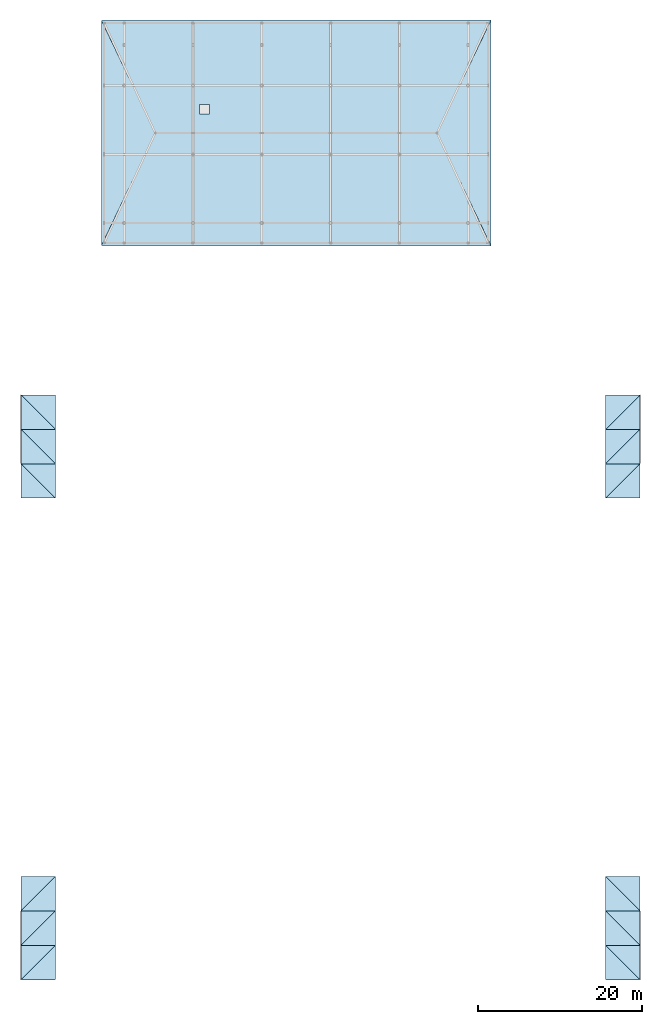
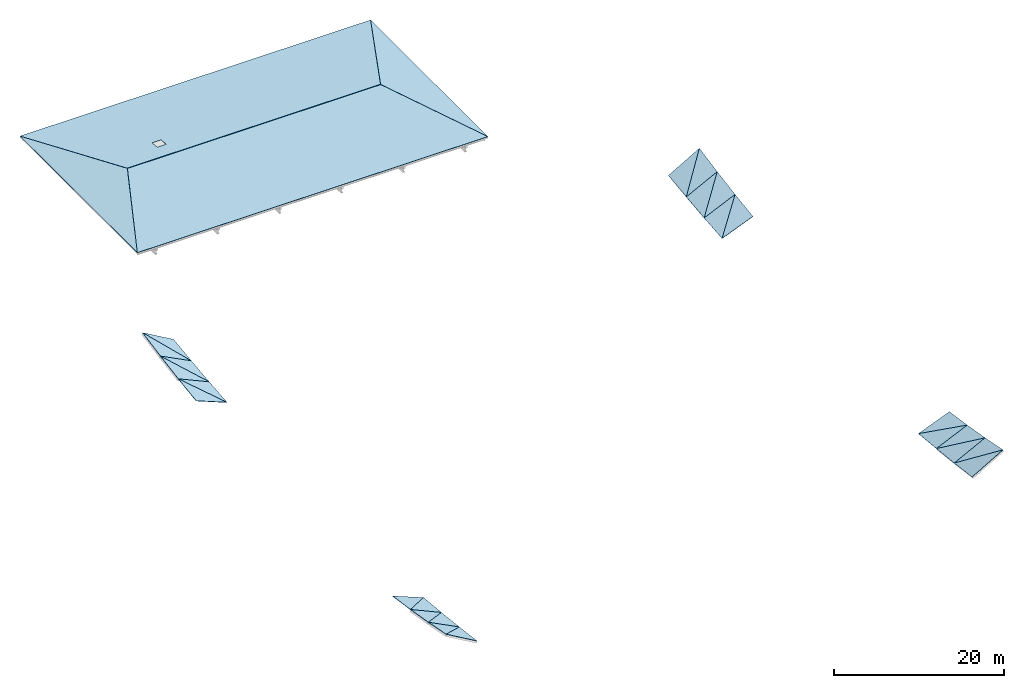
# One storey, part 13 of 13: 28 roofs.
"""IFC4 building model written with IfcOpenShell, lengths in metres."""

import ifcopenshell
import ifcopenshell.guid

model = None  # the IFC model being written
_history = None  # IfcOwnerHistory: only IFC2X3 demands one
_inside = {}  # id of a spatial element -> (the spatial element, [elements in it])
_under = {}  # id of a project, library or spatial element -> (it, [spatial elements below it])
_declared = {}  # id of a project -> (the project, [libraries it declares])
_typed = {}  # id of a type object -> (the type object, [elements of that type])
_made_of = {}  # id of a material, layer set ... -> (it, [elements and type objects made of it])


def new_model(schema):
    """Start an empty IFC model of exactly this schema.

    Asked for "IFC4X3", IfcOpenShell would pick the latest addendum, in which some entities
    have other attributes; the version numbers below select the first issue.
    IFC2X3 requires an IfcOwnerHistory on every rooted entity: one is made here for all.
    """
    global model, _history
    if schema == "IFC4X3":
        model = ifcopenshell.file(schema_version=(4, 3, 0, 0))
    else:
        model = ifcopenshell.file(schema=schema)
    _inside.clear()
    _under.clear()
    _declared.clear()
    _typed.clear()
    _made_of.clear()
    _history = None
    if model.schema == "IFC2X3":
        org = make("IfcOrganization", Name="unknown")
        user = make(
            "IfcPersonAndOrganization",
            ThePerson=make("IfcPerson", FamilyName="unknown"),
            TheOrganization=org,
        )
        app = make(
            "IfcApplication",
            ApplicationDeveloper=org,
            Version="unknown",
            ApplicationFullName="unknown",
            ApplicationIdentifier="unknown",
        )
        _history = make(
            "IfcOwnerHistory",
            OwningUser=user,
            OwningApplication=app,
            ChangeAction="ADDED",
            CreationDate=0,
        )
    return model


def make(cls, **values):
    """One entity of the class cls with the attributes given. An attribute that is None is left unset."""
    return model.create_entity(
        cls, **{name: value for name, value in values.items() if value is not None}
    )


def rooted(cls, **values):
    """An entity with a GlobalId (a new one), such as an element, a storey or a relation."""
    return make(cls, GlobalId=ifcopenshell.guid.new(), OwnerHistory=_history, **values)


def si_unit(unit_type, name, prefix=None):
    """IfcSIUnit, for example si_unit("LENGTHUNIT", "METRE", prefix="MILLI")."""
    return make("IfcSIUnit", UnitType=unit_type, Prefix=prefix, Name=name)


def assignment(units):
    """IfcUnitAssignment: the units of a project."""
    return None if units is None else make("IfcUnitAssignment", Units=units)


def point(xyz):
    """IfcCartesianPoint."""
    return None if xyz is None else make("IfcCartesianPoint", Coordinates=xyz)


def direction(xyz):
    """IfcDirection."""
    return None if xyz is None else make("IfcDirection", DirectionRatios=xyz)


def frame(location, z_axis=None, x_axis=None):
    """IfcAxis2Placement3D, a coordinate frame: its origin and axes. An axis left out is left unset."""
    return make(
        "IfcAxis2Placement3D",
        Location=point(location),
        Axis=direction(z_axis),
        RefDirection=direction(x_axis),
    )


def origin():
    """The frame at (0, 0, 0) with its axes left unset."""
    return frame((0.0, 0.0, 0.0))


def place(relative_to, where):
    """IfcLocalPlacement: puts the frame where relative to a parent placement (None: the world)."""
    return make(
        "IfcLocalPlacement", PlacementRelTo=relative_to, RelativePlacement=where
    )


def context(
    kind, dimensions, precision=None, world=None, true_north=None, identifier=None
):
    """IfcGeometricRepresentationContext, for example the 3D "Model" context."""
    return make(
        "IfcGeometricRepresentationContext",
        ContextIdentifier=identifier,
        ContextType=kind,
        CoordinateSpaceDimension=dimensions,
        Precision=precision,
        WorldCoordinateSystem=world,
        TrueNorth=true_north,
    )


def subcontext(parent, identifier, kind, view, scale=None):
    """IfcGeometricRepresentationSubContext, for example "Body" below "Model"."""
    return make(
        "IfcGeometricRepresentationSubContext",
        ContextIdentifier=identifier,
        ContextType=kind,
        ParentContext=parent,
        TargetScale=scale,
        TargetView=view,
    )


def project(units=None, contexts=None):
    """IfcProject with its units and contexts."""
    return rooted(
        "IfcProject",
        Name="project",
        RepresentationContexts=contexts,
        UnitsInContext=assignment(units),
    )


def spatial(cls, under=None, at=None, **own):
    """A site, building, storey or space (cls), placed at a placement, below another one or the project."""
    s = rooted(cls, ObjectPlacement=at, **own)
    if under is not None:
        _under.setdefault(under.id(), (under, []))[1].append(s)
    return s


def polyline(points):
    """IfcPolyline through the points."""
    return make("IfcPolyline", Points=[point(p) for p in points])


def outline(outer, holes=None, kind="AREA"):
    """IfcArbitraryClosedProfileDef: a profile drawn as a closed curve; with holes, ...WithVoids."""
    if holes is None:
        return make("IfcArbitraryClosedProfileDef", ProfileType=kind, OuterCurve=outer)
    return make(
        "IfcArbitraryProfileDefWithVoids",
        ProfileType=kind,
        OuterCurve=outer,
        InnerCurves=holes,
    )


def extrude(swept, where, along, depth):
    """IfcExtrudedAreaSolid: the profile swept, set in the frame where, extruded along a direction by depth."""
    return make(
        "IfcExtrudedAreaSolid",
        SweptArea=swept,
        Position=where,
        ExtrudedDirection=direction(along),
        Depth=depth,
    )


def shape(context_of_items, identifier, shape_type, items):
    """IfcShapeRepresentation: the items that make up one representation, for example the "Body"."""
    return make(
        "IfcShapeRepresentation",
        ContextOfItems=context_of_items,
        RepresentationIdentifier=identifier,
        RepresentationType=shape_type,
        Items=items,
    )


def material(Name=None, Category=None):
    """IfcMaterial."""
    return make("IfcMaterial", Name=Name, Category=Category)


def layer(
    of_material, thickness, ventilated=None, Name=None, Category=None, Priority=None
):
    """IfcMaterialLayer: one layer of a wall or slab, of a material (None: an air gap)."""
    return make(
        "IfcMaterialLayer",
        Material=of_material,
        LayerThickness=thickness,
        IsVentilated=ventilated,
        Name=Name,
        Category=Category,
        Priority=Priority,
    )


def layer_set(layers, Name=None):
    """IfcMaterialLayerSet."""
    return make("IfcMaterialLayerSet", MaterialLayers=layers, LayerSetName=Name)


def made_of(thing, what):
    """Note that an element or type object is made of a material, layer set ...; save() writes the relation."""
    if what is not None:
        _made_of.setdefault(what.id(), (what, []))[1].append(thing)
    return thing


def type_object(cls, material=None, **own):
    """A type object (cls), such as IfcWallType, which elements share."""
    return made_of(rooted(cls, **own), material)


def element(
    cls,
    number,
    at=None,
    inside=None,
    cuts=None,
    type_object=None,
    material=None,
    context=None,
    identifier="Body",
    shape_type=None,
    held_by="IfcProductDefinitionShape",
    body=None,
    shapes=None,
    **own,
):
    """One element of the class cls, such as IfcWall. Its Tag is "e" and its number.

    at: its placement. inside: the storey or other place that contains it. cuts: it is an
    opening in that element (IfcRelVoidsElement). A single representation is given by context,
    identifier, shape_type and body (its items); several are given by shapes. held_by: the class
    of the entity that holds the representations. save() writes the other relations.
    """
    e = rooted(cls, Tag="e%d" % number, ObjectPlacement=at, **own)
    if body is not None:
        shapes = [shape(context, identifier, shape_type, body)]
    if shapes is not None:
        e.Representation = make(held_by, Representations=shapes)
    if inside is not None:
        _inside.setdefault(inside.id(), (inside, []))[1].append(e)
    if cuts is not None:
        rooted(
            "IfcRelVoidsElement", RelatingBuildingElement=cuts, RelatedOpeningElement=e
        )
    if type_object is not None:
        _typed.setdefault(type_object.id(), (type_object, []))[1].append(e)
    return made_of(e, material)


def aggregate(whole, parts):
    """IfcRelAggregates: a whole, such as a stair, and the parts it consists of."""
    return rooted("IfcRelAggregates", RelatingObject=whole, RelatedObjects=parts)


def save(model, path):
    """Write the relations noted so far, then the file.

    IfcRelAggregates (storeys below a building ...), IfcRelContainedInSpatialStructure (elements
    in a storey), IfcRelDefinesByType, IfcRelAssociatesMaterial and IfcRelDeclares: one each for
    every whole, place, type object, material and project.
    """
    for whole, parts in _under.values():
        aggregate(whole, parts)
    for where, things in _inside.values():
        rooted(
            "IfcRelContainedInSpatialStructure",
            RelatedElements=things,
            RelatingStructure=where,
        )
    for kind, things in _typed.values():
        rooted("IfcRelDefinesByType", RelatedObjects=things, RelatingType=kind)
    for what, things in _made_of.values():
        rooted("IfcRelAssociatesMaterial", RelatedObjects=things, RelatingMaterial=what)
    for by, libraries in _declared.values():
        rooted("IfcRelDeclares", RelatingContext=by, RelatedDefinitions=libraries)
    model.write(path)


model = new_model("IFC4")

# Units and contexts
model_context = context("Model", 3, precision=1e-05, world=origin(), true_north=direction((0.0, 1.0)))
body_context = subcontext(model_context, "Body", "Model", "MODEL_VIEW")
ifc_project = project(units=[si_unit("LENGTHUNIT", "METRE"), si_unit("AREAUNIT", "SQUARE_METRE"), si_unit("VOLUMEUNIT", "CUBIC_METRE"), si_unit("PLANEANGLEUNIT", "RADIAN"), si_unit("MASSUNIT", "GRAM", prefix="KILO")], contexts=[model_context])

# Site, building, storey
site_placement = place(None, origin())
site = spatial("IfcSite", under=ifc_project, at=site_placement, CompositionType="ELEMENT")
building_placement = place(site_placement, origin())
building = spatial("IfcBuilding", under=site, at=building_placement, Name="Cumbredor Promenade Congress Hotel", CompositionType="ELEMENT")
storey_placement = place(building_placement, frame((0.0, 0.0, 38.639892578125)))
storey = spatial("IfcBuildingStorey", under=building, at=storey_placement, Name="RF", CompositionType="ELEMENT", Elevation=38.639892578125)

# Roofs
ifc_material = material(Name="Standing-seam zinc-aluminium roofing", Category="aluminium")
ifc_layer_1 = layer(ifc_material, 0.050048828125, Name="Standing-seam zinc-aluminium roofing", Category="aluminium")
ifc_layer_set_1 = layer_set([ifc_layer_1], Name="Standing-seam zinc-aluminium roofing")
roof_type_1 = type_object("IfcRoofType", Name="Sweeping Pavilion Standing-Seam Roof Skin 50mm", PredefinedType="FREEFORM", material=ifc_layer_set_1)
roof_1_placement = place(storey_placement, frame((-4.199951171875, 0.0, 3.610107421875), z_axis=(0.498474139953, 0.109722296149, 0.859932875012), x_axis=(0.865156445792, 0.0, -0.501502068095)))
element("IfcRoof", 1, at=roof_1_placement, inside=storey, type_object=roof_type_1, Name="Plenary Congress Hall Standing-Seam Roof Skin 1.1.1", PredefinedType="FREEFORM", context=body_context, shape_type="SweptSolid", body=[
    extrude(outline(polyline([(0.0, 0.0), (4.854556875003168, -2.7755575615628914e-17), (5.123306152217286, 4.225463328532745), (0.0, 0.0)])), origin(), (0.0, 0.0, -1.0), 0.050048828125),
])
roof_2_placement = place(storey_placement, frame((-4.199951171875, 0.0, 3.610107421875), z_axis=(0.449143673494, 0.171073223044, 0.876928681774), x_axis=(0.632428057547, 0.632428057547, -0.447291296645)))
element("IfcRoof", 2, at=roof_2_placement, inside=storey, type_object=roof_type_1, Name="Plenary Congress Hall Standing-Seam Roof Skin 1.1.2", PredefinedType="FREEFORM", context=body_context, shape_type="SweptSolid", body=[
    extrude(outline(polyline([(0.0, 0.0), (6.6409943735951575, 1.1102230246251565e-16), (3.022648795294112, 3.0289429649500246), (0.0, 0.0)])), origin(), (0.0, 0.0, -1.0), 0.050048828125),
])
roof_3_placement = place(storey_placement, frame((-4.199951171875, 4.199951171875, 2.790771484375), z_axis=(0.453631186803, 0.098850513978, 0.885690308316), x_axis=(0.890049508975, 0.0, -0.455863873951)))
element("IfcRoof", 3, at=roof_3_placement, inside=storey, type_object=roof_type_1, Name="Plenary Congress Hall Standing-Seam Roof Skin 1.2.1", PredefinedType="FREEFORM", context=body_context, shape_type="SweptSolid", body=[
    extrude(outline(polyline([(0.0, 0.0), (4.718783763739442, 0.0), (4.932469954653939, 4.220622539442095), (0.0, 0.0)])), origin(), (0.0, 0.0, -1.0), 0.050048828125),
])
roof_4_placement = place(storey_placement, frame((-4.199951171875, 4.199951171875, 2.790771484375), z_axis=(0.40778034037, 0.153663184458, 0.900057120271), x_axis=(0.64696674513, 0.64696674513, -0.403569153171)))
element("IfcRoof", 4, at=roof_4_placement, inside=storey, type_object=roof_type_1, Name="Plenary Congress Hall Standing-Seam Roof Skin 1.2.2", PredefinedType="FREEFORM", context=body_context, shape_type="SweptSolid", body=[
    extrude(outline(polyline([(0.0, 0.0), (6.491757425690709, -5.551115123125783e-17), (3.006604374838807, 3.0189514400571045), (0.0, 0.0)])), origin(), (0.0, 0.0, -1.0), 0.050048828125),
])
roof_5_placement = place(storey_placement, frame((-4.199951171875, 8.39990234375, 2.07373046875), z_axis=(0.411121504276, 0.086871665309, 0.907431772911), x_axis=(0.910875327217, 0.0, -0.412681642756)))
element("IfcRoof", 5, at=roof_5_placement, inside=storey, type_object=roof_type_1, Name="Plenary Congress Hall Standing-Seam Roof Skin 1.3.1", PredefinedType="FREEFORM", context=body_context, shape_type="SweptSolid", body=[
    extrude(outline(polyline([(0.0, 0.0), (4.610895746520972, 0.0), (4.776834873869312, 4.216134362780837), (0.0, 0.0)])), origin(), (0.0, 0.0, -1.0), 0.050048828125),
])
roof_6_placement = place(storey_placement, frame((-4.199951171875, 8.39990234375, 2.07373046875), z_axis=(0.369987348692, 0.134489316339, 0.919250774054), x_axis=(0.659194593281, 0.659232911865, -0.361765747554)))
element("IfcRoof", 6, at=roof_6_placement, inside=storey, type_object=roof_type_1, Name="Plenary Congress Hall Standing-Seam Roof Skin 1.3.2", PredefinedType="FREEFORM", context=body_context, shape_type="SweptSolid", body=[
    extrude(outline(polyline([(0.0, 0.0), (6.371337408836187, 2.7755575615628914e-16), (2.9912127447056456, 3.0119594335667825), (0.0, 0.0)])), origin(), (0.0, 0.0, -1.0), 0.050048828125),
])
roof_7_placement = place(storey_placement, frame((-4.199951171875, 58.800048828125, 1.459228515625), z_axis=(0.369986959674, -0.134496992706, 0.919249807519), x_axis=(0.927678694472, 0.0, -0.373379485004)))
element("IfcRoof", 7, at=roof_7_placement, inside=storey, type_object=roof_type_1, Name="Plenary Congress Hall Standing-Seam Roof Skin 1.15.1", PredefinedType="FREEFORM", context=body_context, shape_type="SweptSolid", body=[
    extrude(outline(polyline([(0.0, 0.0), (4.527376986127346, 0.0), (-0.22944242279187457, 4.238461828441071), (0.0, 0.0)])), origin(), (0.0, 0.0, -1.0), 0.050048828125),
])
roof_8_placement = place(storey_placement, frame((0.0, 58.800048828125, -0.231201171875), z_axis=(0.411121323919, -0.086876676994, 0.907431374823), x_axis=(0.0, 0.995448277851, 0.095303337419)))
element("IfcRoof", 8, at=roof_8_placement, inside=storey, type_object=roof_type_1, Name="Plenary Congress Hall Standing-Seam Roof Skin 1.15.2", PredefinedType="FREEFORM", context=body_context, shape_type="SweptSolid", body=[
    extrude(outline(polyline([(0.0, 0.0), (4.219155595850159, 2.7755575615628914e-17), (4.400501838976253, 4.60732819814144), (0.0, 0.0)])), origin(), (0.0, 0.0, -1.0), 0.050048828125),
])
roof_9_placement = place(storey_placement, frame((-4.199951171875, 63.0, 2.07373046875), z_axis=(0.40778034037, -0.153663184458, 0.900057120271), x_axis=(0.910875327217, 0.0, -0.412681642756)))
element("IfcRoof", 9, at=roof_9_placement, inside=storey, type_object=roof_type_1, Name="Plenary Congress Hall Standing-Seam Roof Skin 1.16.1", PredefinedType="FREEFORM", context=body_context, shape_type="SweptSolid", body=[
    extrude(outline(polyline([(0.0, 0.0), (4.610895746520972, 0.0), (-0.29590966425141146, 4.250432346811949), (0.0, 0.0)])), origin(), (0.0, 0.0, -1.0), 0.050048828125),
])
roof_10_placement = place(storey_placement, frame((0.0, 63.0, 0.1708984375), z_axis=(0.453631186803, -0.098850513978, 0.885690308316), x_axis=(0.0, 0.993829366657, 0.110919745625)))
element("IfcRoof", 10, at=roof_10_placement, inside=storey, type_object=roof_type_1, Name="Plenary Congress Hall Standing-Seam Roof Skin 1.16.2", PredefinedType="FREEFORM", context=body_context, shape_type="SweptSolid", body=[
    extrude(outline(polyline([(0.0, 0.0), (4.22602844389791, -2.7755575615628914e-17), (4.464630465064764, 4.712747530308203), (0.0, 0.0)])), origin(), (0.0, 0.0, -1.0), 0.050048828125),
])
roof_11_placement = place(storey_placement, frame((-4.199951171875, 67.199951171875, 2.790771484375), z_axis=(0.449143673494, -0.171073223044, 0.876928681774), x_axis=(0.890049508975, 0.0, -0.455863873951)))
element("IfcRoof", 11, at=roof_11_placement, inside=storey, type_object=roof_type_1, Name="Plenary Congress Hall Standing-Seam Roof Skin 1.17.1", PredefinedType="FREEFORM", context=body_context, shape_type="SweptSolid", body=[
    extrude(outline(polyline([(0.0, 0.0), (4.718783763739442, 0.0), (-0.373505654535965, 4.26279189623923), (0.0, 0.0)])), origin(), (0.0, 0.0, -1.0), 0.050048828125),
])
roof_12_placement = place(storey_placement, frame((0.0, 67.199951171875, 0.6396484375), z_axis=(0.498474139953, -0.109722296149, 0.859932875012), x_axis=(0.0, 0.991957945242, 0.126567906168)))
element("IfcRoof", 12, at=roof_12_placement, inside=storey, type_object=roof_type_1, Name="Plenary Congress Hall Standing-Seam Roof Skin 1.17.2", PredefinedType="FREEFORM", context=body_context, shape_type="SweptSolid", body=[
    extrude(outline(polyline([(0.0, 0.0), (4.234001241707204, 0.0), (4.542139708578761, 4.844767604114214), (0.0, 0.0)])), origin(), (0.0, 0.0, -1.0), 0.050048828125),
])
roof_13_placement = place(storey_placement, frame((67.199951171875, 0.0, 1.175537109375), z_axis=(-0.498474139953, 0.109722296149, 0.859932875012), x_axis=(0.865156445792, 0.0, 0.501502068095)))
element("IfcRoof", 13, at=roof_13_placement, inside=storey, type_object=roof_type_1, Name="Plenary Congress Hall Standing-Seam Roof Skin 18.1.1", PredefinedType="FREEFORM", context=body_context, shape_type="SweptSolid", body=[
    extrude(outline(polyline([(0.0, 0.0), (4.854556875003168, 2.7755575615628914e-17), (-0.2687492772141179, 4.225463328532745), (0.0, 0.0)])), origin(), (0.0, 0.0, -1.0), 0.050048828125),
])
roof_14_placement = place(storey_placement, frame((71.39990234375, 0.0, 3.610107421875), z_axis=(-0.449143673494, 0.171073223044, 0.876928681774), x_axis=(0.0, 0.98149791513, -0.191472824692)))
element("IfcRoof", 14, at=roof_14_placement, inside=storey, type_object=roof_type_1, Name="Plenary Congress Hall Standing-Seam Roof Skin 18.1.2", PredefinedType="FREEFORM", context=body_context, shape_type="SweptSolid", body=[
    extrude(outline(polyline([(0.0, 0.0), (4.279123885167755, -5.551115123125783e-17), (4.691005491212935, 4.700773739665909), (0.0, 0.0)])), origin(), (0.0, 0.0, -1.0), 0.050048828125),
])
roof_15_placement = place(storey_placement, frame((67.199951171875, 4.199951171875, 0.6396484375), z_axis=(-0.453631186803, 0.098850513978, 0.885690308316), x_axis=(0.890049508975, 0.0, 0.455863873951)))
element("IfcRoof", 15, at=roof_15_placement, inside=storey, type_object=roof_type_1, Name="Plenary Congress Hall Standing-Seam Roof Skin 18.2.1", PredefinedType="FREEFORM", context=body_context, shape_type="SweptSolid", body=[
    extrude(outline(polyline([(0.0, 0.0), (4.718783763739442, 0.0), (-0.21368619091449725, 4.220622539442095), (0.0, 0.0)])), origin(), (0.0, 0.0, -1.0), 0.050048828125),
])
roof_16_placement = place(storey_placement, frame((71.39990234375, 4.199951171875, 2.790771484375), z_axis=(-0.40778034037, 0.153663184458, 0.900057120271), x_axis=(0.0, 0.985737352899, -0.168291030952)))
element("IfcRoof", 16, at=roof_16_placement, inside=storey, type_object=roof_type_1, Name="Plenary Congress Hall Standing-Seam Roof Skin 18.2.2", PredefinedType="FREEFORM", context=body_context, shape_type="SweptSolid", body=[
    extrude(outline(polyline([(0.0, 0.0), (4.260720322225189, 0.0), (4.580949886492554, 4.599762234230626), (0.0, 0.0)])), origin(), (0.0, 0.0, -1.0), 0.050048828125),
])
roof_17_placement = place(storey_placement, frame((67.199951171875, 8.39990234375, 0.1708984375), z_axis=(-0.411121504276, 0.086871665309, 0.907431772911), x_axis=(0.910875327217, 0.0, 0.412681642756)))
element("IfcRoof", 17, at=roof_17_placement, inside=storey, type_object=roof_type_1, Name="Plenary Congress Hall Standing-Seam Roof Skin 18.3.1", PredefinedType="FREEFORM", context=body_context, shape_type="SweptSolid", body=[
    extrude(outline(polyline([(0.0, 0.0), (4.610895746520972, 0.0), (-0.16593912734834004, 4.216134362780837), (0.0, 0.0)])), origin(), (0.0, 0.0, -1.0), 0.050048828125),
])
roof_18_placement = place(storey_placement, frame((71.39990234375, 8.39990234375, 2.07373046875), z_axis=(-0.369987348692, 0.134489316339, 0.919250774054), x_axis=(0.0, 0.989466489896, -0.144762099225)))
element("IfcRoof", 18, at=roof_18_placement, inside=storey, type_object=roof_type_1, Name="Plenary Congress Hall Standing-Seam Roof Skin 18.3.2", PredefinedType="FREEFORM", context=body_context, shape_type="SweptSolid", body=[
    extrude(outline(polyline([(0.0, 0.0), (4.244909105451071, 0.0), (4.489619255606065, 4.520758710319171), (0.0, 0.0)])), origin(), (0.0, 0.0, -1.0), 0.050048828125),
])
roof_19_placement = place(storey_placement, frame((67.199951171875, 58.800048828125, -0.231201171875), z_axis=(-0.369986959674, -0.134496992706, 0.919249807519), x_axis=(0.927678694472, 0.0, 0.373379485004)))
element("IfcRoof", 19, at=roof_19_placement, inside=storey, type_object=roof_type_1, Name="Plenary Congress Hall Standing-Seam Roof Skin 18.15.1", PredefinedType="FREEFORM", context=body_context, shape_type="SweptSolid", body=[
    extrude(outline(polyline([(0.0, 0.0), (4.527376986127346, 0.0), (4.756819408919221, 4.238461828441071), (0.0, 0.0)])), origin(), (0.0, 0.0, -1.0), 0.050048828125),
])
roof_20_placement = place(storey_placement, frame((67.199951171875, 58.800048828125, -0.231201171875), z_axis=(-0.411121323919, -0.086876676994, 0.907431374823), x_axis=(0.659211245258, 0.659211245258, 0.361774886152)))
element("IfcRoof", 20, at=roof_20_placement, inside=storey, type_object=roof_type_1, Name="Plenary Congress Hall Standing-Seam Roof Skin 18.15.2", PredefinedType="FREEFORM", context=body_context, shape_type="SweptSolid", body=[
    extrude(outline(polyline([(0.0, 0.0), (6.371176465945879, -2.7755575615628914e-16), (2.9141245824383497, 3.0510902739876817), (0.0, 0.0)])), origin(), (0.0, 0.0, -1.0), 0.050048828125),
])
roof_21_placement = place(storey_placement, frame((67.199951171875, 63.0, 0.1708984375), z_axis=(-0.40778034037, -0.153663184458, 0.900057120271), x_axis=(0.910875327217, 0.0, 0.412681642756)))
element("IfcRoof", 21, at=roof_21_placement, inside=storey, type_object=roof_type_1, Name="Plenary Congress Hall Standing-Seam Roof Skin 18.16.1", PredefinedType="FREEFORM", context=body_context, shape_type="SweptSolid", body=[
    extrude(outline(polyline([(0.0, 0.0), (4.610895746520972, 0.0), (4.9068054107723835, 4.250432346811949), (0.0, 0.0)])), origin(), (0.0, 0.0, -1.0), 0.050048828125),
])
roof_22_placement = place(storey_placement, frame((67.199951171875, 63.0, 0.1708984375), z_axis=(-0.453631186803, -0.098850513978, 0.885690308316), x_axis=(0.64696674513, 0.64696674513, 0.403569153171)))
element("IfcRoof", 22, at=roof_22_placement, inside=storey, type_object=roof_type_1, Name="Plenary Congress Hall Standing-Seam Roof Skin 18.16.2", PredefinedType="FREEFORM", context=body_context, shape_type="SweptSolid", body=[
    extrude(outline(polyline([(0.0, 0.0), (6.491757425690709, -3.3306690738754696e-16), (2.9064017799231556, 3.0679219517930534), (0.0, 0.0)])), origin(), (0.0, 0.0, -1.0), 0.050048828125),
])
roof_23_placement = place(storey_placement, frame((67.199951171875, 67.199951171875, 0.6396484375), z_axis=(-0.449143673494, -0.171073223044, 0.876928681774), x_axis=(0.890049508975, 0.0, 0.455863873951)))
element("IfcRoof", 23, at=roof_23_placement, inside=storey, type_object=roof_type_1, Name="Plenary Congress Hall Standing-Seam Roof Skin 18.17.1", PredefinedType="FREEFORM", context=body_context, shape_type="SweptSolid", body=[
    extrude(outline(polyline([(0.0, 0.0), (4.718783763739442, 0.0), (5.092289418275407, 4.26279189623923), (0.0, 0.0)])), origin(), (0.0, 0.0, -1.0), 0.050048828125),
])
roof_24_placement = place(storey_placement, frame((67.199951171875, 67.199951171875, 0.6396484375), z_axis=(-0.498474139953, -0.109722296149, 0.859932875012), x_axis=(0.632428057547, 0.632428057547, 0.447291296645)))
element("IfcRoof", 24, at=roof_24_placement, inside=storey, type_object=roof_type_1, Name="Plenary Congress Hall Standing-Seam Roof Skin 18.17.2", PredefinedType="FREEFORM", context=body_context, shape_type="SweptSolid", body=[
    extrude(outline(polyline([(0.0, 0.0), (6.6409943735951575, -2.220446049250313e-16), (2.895865300322334, 3.0888073227650796), (0.0, 0.0)])), origin(), (0.0, 0.0, -1.0), 0.050048828125),
])
ifc_layer_2 = layer(ifc_material, 0.054931640625, Name="Standing-seam zinc-aluminium roofing", Category="aluminium")
ifc_layer_set_2 = layer_set([ifc_layer_2], Name="Standing-seam zinc-aluminium roofing")
roof_type_2 = type_object("IfcRoofType", Name="Tropical Hipped Broad-Eave Roof Skin 55mm", PredefinedType="HIP_ROOF", material=ifc_layer_set_2)
roof_25_placement = place(storey_placement, frame((5.60009765625, 89.60009765625, 0.614990234375), z_axis=(0.0, -0.10334393502, 0.994645681182), x_axis=(1.0, 0.0, 0.0)))
element("IfcRoof", 25, at=roof_25_placement, inside=storey, type_object=roof_type_2, Name="Hotel Wing South Standing-Seam Tropical Roof", PredefinedType="HIP_ROOF", context=body_context, shape_type="SweptSolid", body=[
    extrude(outline(polyline([(0.0, 0.0), (47.599853515625, 0.0), (41.0, 13.838990947774867), (6.599853515625, 13.838990947774867), (0.0, 0.0)])), origin(), (0.0, 0.0, -1.0), 0.054931640625),
])
roof_26_placement = place(storey_placement, frame((53.199951171875, 117.199951171875, 0.614990234375), z_axis=(0.0, 0.10334393502, 0.994645681182), x_axis=(-1.0, 0.0, 0.0)))
element("IfcRoof", 26, at=roof_26_placement, inside=storey, type_object=roof_type_2, Name="Hotel Wing North Standing-Seam Tropical Roof", PredefinedType="HIP_ROOF", context=body_context, shape_type="SweptSolid", body=[
    extrude(outline(polyline([(0.0, 0.0), (47.599853515625, 0.0), (41.0, 13.838990947774867), (6.599853515625, 13.838990947774867), (0.0, 0.0)]), holes=[polyline([(35.599853515625, 11.561906131568923), (34.39990234375, 11.561906131568923), (34.39990234375, 10.355495452291978), (35.599853515625, 10.355495452291978), (35.599853515625, 11.561906131568923)])]), origin(), (0.0, 0.0, -1.0), 0.054931640625),
])
roof_27_placement = place(storey_placement, frame((5.60009765625, 117.199951171875, 0.614990234375), z_axis=(-0.211782698823, 0.0, 0.977316780005), x_axis=(0.0, -1.0, 0.0)))
element("IfcRoof", 27, at=roof_27_placement, inside=storey, type_object=roof_type_2, Name="Hotel Wing West Standing-Seam Tropical Roof", PredefinedType="HIP_ROOF", context=body_context, shape_type="SweptSolid", body=[
    extrude(outline(polyline([(0.0, 0.0), (27.599853515625, 0.0), (13.800048828125, 6.753034073139401), (0.0, 0.0)])), origin(), (0.0, 0.0, -1.0), 0.054931640625),
])
roof_28_placement = place(storey_placement, frame((53.199951171875, 89.60009765625, 0.614990234375), z_axis=(0.211782698823, 0.0, 0.977316780005), x_axis=(0.0, 1.0, 0.0)))
element("IfcRoof", 28, at=roof_28_placement, inside=storey, type_object=roof_type_2, Name="Hotel Wing East Standing-Seam Tropical Roof", PredefinedType="HIP_ROOF", context=body_context, shape_type="SweptSolid", body=[
    extrude(outline(polyline([(0.0, 0.0), (27.599853515625, 0.0), (13.7998046875, 6.753034073139401), (0.0, 0.0)])), origin(), (0.0, 0.0, -1.0), 0.054931640625),
])

save(model, "model.ifc")
